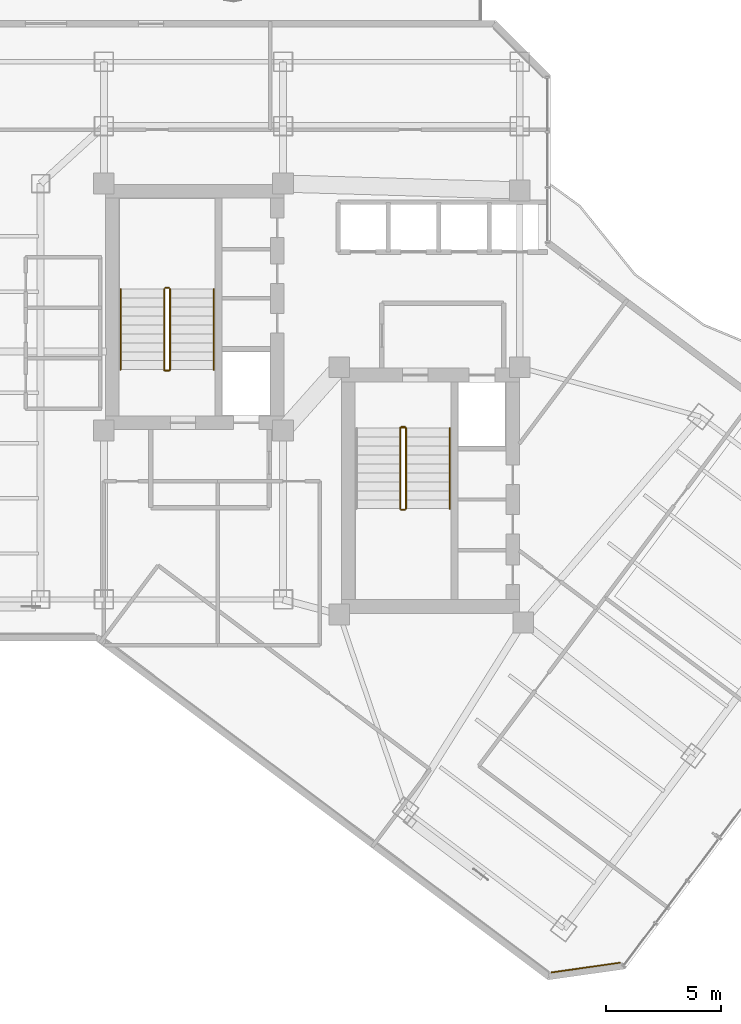
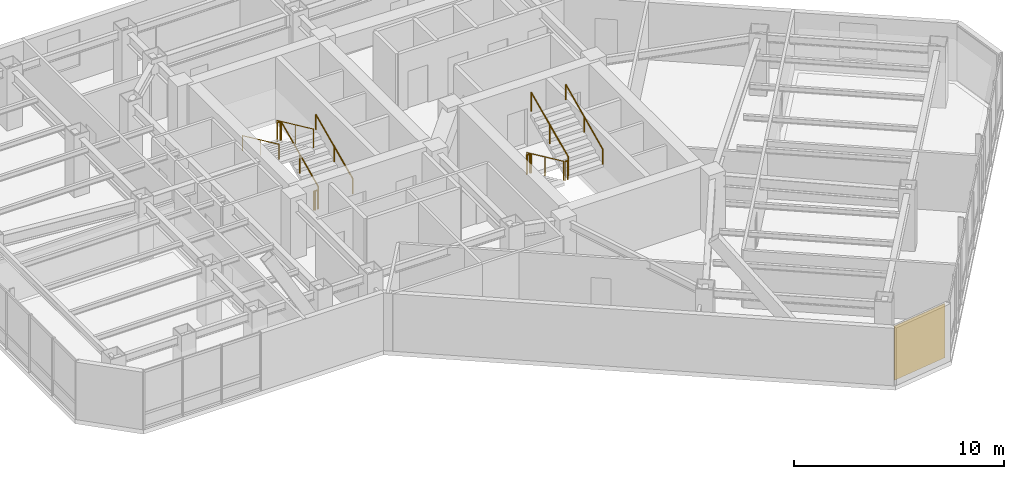
# One storey, part 26 of 28: 13 railings, 1 covering.
"""IFC4 building model written with IfcOpenShell, lengths in metres."""

import ifcopenshell
import ifcopenshell.guid

model = None  # the IFC model being written
_history = None  # IfcOwnerHistory: only IFC2X3 demands one
_inside = {}  # id of a spatial element -> (the spatial element, [elements in it])
_under = {}  # id of a project, library or spatial element -> (it, [spatial elements below it])
_declared = {}  # id of a project -> (the project, [libraries it declares])
_typed = {}  # id of a type object -> (the type object, [elements of that type])
_made_of = {}  # id of a material, layer set ... -> (it, [elements and type objects made of it])


def new_model(schema):
    """Start an empty IFC model of exactly this schema.

    Asked for "IFC4X3", IfcOpenShell would pick the latest addendum, in which some entities
    have other attributes; the version numbers below select the first issue.
    IFC2X3 requires an IfcOwnerHistory on every rooted entity: one is made here for all.
    """
    global model, _history
    if schema == "IFC4X3":
        model = ifcopenshell.file(schema_version=(4, 3, 0, 0))
    else:
        model = ifcopenshell.file(schema=schema)
    _inside.clear()
    _under.clear()
    _declared.clear()
    _typed.clear()
    _made_of.clear()
    _history = None
    if model.schema == "IFC2X3":
        org = make("IfcOrganization", Name="unknown")
        user = make(
            "IfcPersonAndOrganization",
            ThePerson=make("IfcPerson", FamilyName="unknown"),
            TheOrganization=org,
        )
        app = make(
            "IfcApplication",
            ApplicationDeveloper=org,
            Version="unknown",
            ApplicationFullName="unknown",
            ApplicationIdentifier="unknown",
        )
        _history = make(
            "IfcOwnerHistory",
            OwningUser=user,
            OwningApplication=app,
            ChangeAction="ADDED",
            CreationDate=0,
        )
    return model


def make(cls, **values):
    """One entity of the class cls with the attributes given. An attribute that is None is left unset."""
    return model.create_entity(
        cls, **{name: value for name, value in values.items() if value is not None}
    )


def rooted(cls, **values):
    """An entity with a GlobalId (a new one), such as an element, a storey or a relation."""
    return make(cls, GlobalId=ifcopenshell.guid.new(), OwnerHistory=_history, **values)


def si_unit(unit_type, name, prefix=None):
    """IfcSIUnit, for example si_unit("LENGTHUNIT", "METRE", prefix="MILLI")."""
    return make("IfcSIUnit", UnitType=unit_type, Prefix=prefix, Name=name)


def assignment(units):
    """IfcUnitAssignment: the units of a project."""
    return None if units is None else make("IfcUnitAssignment", Units=units)


def point(xyz):
    """IfcCartesianPoint."""
    return None if xyz is None else make("IfcCartesianPoint", Coordinates=xyz)


def direction(xyz):
    """IfcDirection."""
    return None if xyz is None else make("IfcDirection", DirectionRatios=xyz)


def frame(location, z_axis=None, x_axis=None):
    """IfcAxis2Placement3D, a coordinate frame: its origin and axes. An axis left out is left unset."""
    return make(
        "IfcAxis2Placement3D",
        Location=point(location),
        Axis=direction(z_axis),
        RefDirection=direction(x_axis),
    )


def frame_2d(location, x_axis=None):
    """IfcAxis2Placement2D, a coordinate frame in the plane: its origin and x axis."""
    return make(
        "IfcAxis2Placement2D", Location=point(location), RefDirection=direction(x_axis)
    )


def origin():
    """The frame at (0, 0, 0) with its axes left unset."""
    return frame((0.0, 0.0, 0.0))


def origin_2d():
    """The frame at (0, 0) in the plane with its x axis left unset."""
    return frame_2d((0.0, 0.0))


def place(relative_to, where):
    """IfcLocalPlacement: puts the frame where relative to a parent placement (None: the world)."""
    return make(
        "IfcLocalPlacement", PlacementRelTo=relative_to, RelativePlacement=where
    )


def context(
    kind, dimensions, precision=None, world=None, true_north=None, identifier=None
):
    """IfcGeometricRepresentationContext, for example the 3D "Model" context."""
    return make(
        "IfcGeometricRepresentationContext",
        ContextIdentifier=identifier,
        ContextType=kind,
        CoordinateSpaceDimension=dimensions,
        Precision=precision,
        WorldCoordinateSystem=world,
        TrueNorth=true_north,
    )


def subcontext(parent, identifier, kind, view, scale=None):
    """IfcGeometricRepresentationSubContext, for example "Body" below "Model"."""
    return make(
        "IfcGeometricRepresentationSubContext",
        ContextIdentifier=identifier,
        ContextType=kind,
        ParentContext=parent,
        TargetScale=scale,
        TargetView=view,
    )


def project(units=None, contexts=None):
    """IfcProject with its units and contexts."""
    return rooted(
        "IfcProject",
        Name="project",
        RepresentationContexts=contexts,
        UnitsInContext=assignment(units),
    )


def spatial(cls, under=None, at=None, **own):
    """A site, building, storey or space (cls), placed at a placement, below another one or the project."""
    s = rooted(cls, ObjectPlacement=at, **own)
    if under is not None:
        _under.setdefault(under.id(), (under, []))[1].append(s)
    return s


def profile(cls, at=None, kind="AREA", **sizes):
    """A parametric profile (cls). Its sizes go by their IFC names, for example OverallWidth=200.0."""
    return make(cls, ProfileType=kind, Position=at, **sizes)


def rectangle(**sizes):
    """IfcRectangleProfileDef."""
    return profile("IfcRectangleProfileDef", **sizes)


def circle(**sizes):
    """IfcCircleProfileDef."""
    return profile("IfcCircleProfileDef", **sizes)


def extrude(swept, where, along, depth):
    """IfcExtrudedAreaSolid: the profile swept, set in the frame where, extruded along a direction by depth."""
    return make(
        "IfcExtrudedAreaSolid",
        SweptArea=swept,
        Position=where,
        ExtrudedDirection=direction(along),
        Depth=depth,
    )


def shape(context_of_items, identifier, shape_type, items):
    """IfcShapeRepresentation: the items that make up one representation, for example the "Body"."""
    return make(
        "IfcShapeRepresentation",
        ContextOfItems=context_of_items,
        RepresentationIdentifier=identifier,
        RepresentationType=shape_type,
        Items=items,
    )


def material(Name=None, Category=None):
    """IfcMaterial."""
    return make("IfcMaterial", Name=Name, Category=Category)


def layer(
    of_material, thickness, ventilated=None, Name=None, Category=None, Priority=None
):
    """IfcMaterialLayer: one layer of a wall or slab, of a material (None: an air gap)."""
    return make(
        "IfcMaterialLayer",
        Material=of_material,
        LayerThickness=thickness,
        IsVentilated=ventilated,
        Name=Name,
        Category=Category,
        Priority=Priority,
    )


def layer_set(layers, Name=None):
    """IfcMaterialLayerSet."""
    return make("IfcMaterialLayerSet", MaterialLayers=layers, LayerSetName=Name)


def made_of(thing, what):
    """Note that an element or type object is made of a material, layer set ...; save() writes the relation."""
    if what is not None:
        _made_of.setdefault(what.id(), (what, []))[1].append(thing)
    return thing


def type_object(cls, material=None, **own):
    """A type object (cls), such as IfcWallType, which elements share."""
    return made_of(rooted(cls, **own), material)


def element(
    cls,
    number,
    at=None,
    inside=None,
    cuts=None,
    type_object=None,
    material=None,
    context=None,
    identifier="Body",
    shape_type=None,
    held_by="IfcProductDefinitionShape",
    body=None,
    shapes=None,
    **own,
):
    """One element of the class cls, such as IfcWall. Its Tag is "e" and its number.

    at: its placement. inside: the storey or other place that contains it. cuts: it is an
    opening in that element (IfcRelVoidsElement). A single representation is given by context,
    identifier, shape_type and body (its items); several are given by shapes. held_by: the class
    of the entity that holds the representations. save() writes the other relations.
    """
    e = rooted(cls, Tag="e%d" % number, ObjectPlacement=at, **own)
    if body is not None:
        shapes = [shape(context, identifier, shape_type, body)]
    if shapes is not None:
        e.Representation = make(held_by, Representations=shapes)
    if inside is not None:
        _inside.setdefault(inside.id(), (inside, []))[1].append(e)
    if cuts is not None:
        rooted(
            "IfcRelVoidsElement", RelatingBuildingElement=cuts, RelatedOpeningElement=e
        )
    if type_object is not None:
        _typed.setdefault(type_object.id(), (type_object, []))[1].append(e)
    return made_of(e, material)


def aggregate(whole, parts):
    """IfcRelAggregates: a whole, such as a stair, and the parts it consists of."""
    return rooted("IfcRelAggregates", RelatingObject=whole, RelatedObjects=parts)


def save(model, path):
    """Write the relations noted so far, then the file.

    IfcRelAggregates (storeys below a building ...), IfcRelContainedInSpatialStructure (elements
    in a storey), IfcRelDefinesByType, IfcRelAssociatesMaterial and IfcRelDeclares: one each for
    every whole, place, type object, material and project.
    """
    for whole, parts in _under.values():
        aggregate(whole, parts)
    for where, things in _inside.values():
        rooted(
            "IfcRelContainedInSpatialStructure",
            RelatedElements=things,
            RelatingStructure=where,
        )
    for kind, things in _typed.values():
        rooted("IfcRelDefinesByType", RelatedObjects=things, RelatingType=kind)
    for what, things in _made_of.values():
        rooted("IfcRelAssociatesMaterial", RelatedObjects=things, RelatingMaterial=what)
    for by, libraries in _declared.values():
        rooted("IfcRelDeclares", RelatingContext=by, RelatedDefinitions=libraries)
    model.write(path)


model = new_model("IFC4")

# Units and contexts
model_context = context("Model", 3, precision=1e-05, world=origin(), true_north=direction((0.0, 1.0)))
body_context = subcontext(model_context, "Body", "Model", "MODEL_VIEW")
ifc_project = project(units=[si_unit("LENGTHUNIT", "METRE"), si_unit("AREAUNIT", "SQUARE_METRE"), si_unit("VOLUMEUNIT", "CUBIC_METRE"), si_unit("PLANEANGLEUNIT", "RADIAN"), si_unit("MASSUNIT", "GRAM", prefix="KILO")], contexts=[model_context])

# Site, building, storey
site_placement = place(None, origin())
site = spatial("IfcSite", under=ifc_project, at=site_placement, CompositionType="ELEMENT")
building_placement = place(site_placement, origin())
building = spatial("IfcBuilding", under=site, at=building_placement, Name="Hatsunagi Terrace Concourse", CompositionType="ELEMENT")
storey_placement = place(building_placement, frame((0.0, 0.0, 138.449951171875)))
storey = spatial("IfcBuildingStorey", under=building, at=storey_placement, Name="L36", CompositionType="ELEMENT", Elevation=138.449951171875)

# Railings
ifc_material_1 = material(Name="Stainless steel", Category="steel")
ifc_layer_1 = layer(ifc_material_1, 0.044921875)
ifc_layer_set_1 = layer_set([ifc_layer_1], Name="StairPitchHandrail_Tower2000")
railing_type_1 = type_object("IfcRailingType", Name="StairPitchHandrail_Tower2000", PredefinedType="HANDRAIL", material=ifc_layer_set_1)
railing_1_placement = place(storey_placement, frame((30.330078125, 35.199951171875, 0.179931640625)))
element("IfcRailing", 1, at=railing_1_placement, inside=storey, type_object=railing_type_1, Name="L36 ST-A stair handrail 1", PredefinedType="HANDRAIL", context=body_context, shape_type="SweptSolid", body=[
    extrude(circle(Radius=0.02392578125, at=origin_2d()), frame((0.0, 0.0, 0.8759765625), z_axis=(0.0, 0.907948293929, 0.419082206198), x_axis=(-1.0, 0.0, 0.0)), (0.0, 0.0, 1.0), 3.865966796875),
    extrude(circle(Radius=0.02099609375, at=origin_2d()), origin(), (0.0, 0.0, 1.0), 0.851806640625),
    extrude(circle(Radius=0.02099609375, at=origin_2d()), frame((0.0, 1.7548828125, 0.81005859375)), (0.0, 0.0, 1.0), 0.851806640625),
    extrude(circle(Radius=0.02099609375, at=origin_2d()), frame((0.0, 3.510009765625, 1.6201171875)), (0.0, 0.0, 1.0), 0.851806640625),
])
railing_2_placement = place(storey_placement, frame((26.280029296875, 38.7099609375, 1.97998046875)))
element("IfcRailing", 2, at=railing_2_placement, inside=storey, type_object=railing_type_1, Name="L36 ST-A stair handrail 2", PredefinedType="HANDRAIL", context=body_context, shape_type="SweptSolid", body=[
    extrude(circle(Radius=0.02392578125, at=origin_2d()), frame((0.0, 0.0, 0.8759765625), z_axis=(0.0, -0.907948293929, 0.419082206198), x_axis=(1.0, 0.0, 0.0)), (0.0, 0.0, 1.0), 3.865966796875),
    extrude(circle(Radius=0.02099609375, at=origin_2d()), origin(), (0.0, 0.0, 1.0), 0.851806640625),
    extrude(circle(Radius=0.02099609375, at=origin_2d()), frame((0.0, -1.7548828125, 0.81005859375)), (0.0, 0.0, 1.0), 0.851806640625),
    extrude(circle(Radius=0.02099609375, at=origin_2d()), frame((0.0, -3.510009765625, 1.6201171875)), (0.0, 0.0, 1.0), 0.851806640625),
])
railing_3_placement = place(storey_placement, frame((40.60009765625, 29.14990234375, 1.97998046875)))
element("IfcRailing", 3, at=railing_3_placement, inside=storey, type_object=railing_type_1, Name="L36 ST-B stair handrail 2", PredefinedType="HANDRAIL", context=body_context, shape_type="SweptSolid", body=[
    extrude(circle(Radius=0.02392578125, at=origin_2d()), frame((0.0, 0.0, 0.8759765625), z_axis=(0.0, 0.907948293929, 0.419082206198), x_axis=(-1.0, 0.0, 0.0)), (0.0, 0.0, 1.0), 3.865966796875),
    extrude(circle(Radius=0.02099609375, at=origin_2d()), origin(), (0.0, 0.0, 1.0), 0.851806640625),
    extrude(circle(Radius=0.02099609375, at=origin_2d()), frame((0.0, 1.7548828125, 0.81005859375)), (0.0, 0.0, 1.0), 0.851806640625),
    extrude(circle(Radius=0.02099609375, at=origin_2d()), frame((0.0, 3.510009765625, 1.6201171875)), (0.0, 0.0, 1.0), 0.851806640625),
])
ifc_material_2 = material(Name="Stainless steel", Category="steel")
ifc_layer_2 = layer(ifc_material_2, 0.06005859375)
ifc_layer_set_2 = layer_set([ifc_layer_2], Name="StairWellGuard_Tower2000")
railing_type_2 = type_object("IfcRailingType", Name="StairWellGuard_Tower2000", PredefinedType="BALUSTRADE", material=ifc_layer_set_2)
railing_4_placement = place(storey_placement, frame((28.429931640625, 35.199951171875, 0.179931640625)))
element("IfcRailing", 4, at=railing_4_placement, inside=storey, type_object=railing_type_2, Name="L36 ST-A stair guard 1", PredefinedType="BALUSTRADE", context=body_context, shape_type="SweptSolid", body=[
    extrude(circle(Radius=0.02392578125, at=origin_2d()), frame((0.0, 0.0, 1.09619140625), z_axis=(0.0, 0.907948293929, 0.419082206198), x_axis=(-1.0, 0.0, 0.0)), (0.0, 0.0, 1.0), 3.865966796875),
    extrude(circle(Radius=0.02099609375, at=origin_2d()), origin(), (0.0, 0.0, 1.0), 1.072021484375),
    extrude(circle(Radius=0.02099609375, at=origin_2d()), frame((0.0, 1.7548828125, 0.81005859375)), (0.0, 0.0, 1.0), 1.072021484375),
    extrude(circle(Radius=0.02099609375, at=origin_2d()), frame((0.0, 3.510009765625, 1.6201171875)), (0.0, 0.0, 1.0), 1.072021484375),
])
railing_5_placement = place(storey_placement, frame((28.3798828125, 38.760009765625, 1.800048828125)))
element("IfcRailing", 5, at=railing_5_placement, inside=storey, type_object=railing_type_2, Name="L36 ST-A stair guard 2", PredefinedType="BALUSTRADE", context=body_context, shape_type="SweptSolid", body=[
    extrude(circle(Radius=0.02392578125, at=origin_2d()), frame((0.0, 0.0, 1.09619140625), z_axis=(-1.0, 0.0, 0.0), x_axis=(0.0, -1.0, 0.0)), (0.0, 0.0, 1.0), 0.14990234375),
    extrude(circle(Radius=0.02099609375, at=origin_2d()), origin(), (0.0, 0.0, 1.0), 1.072021484375),
    extrude(circle(Radius=0.02099609375, at=origin_2d()), frame((-0.14990234375, 0.0, 0.0)), (0.0, 0.0, 1.0), 1.072021484375),
])
railing_6_placement = place(storey_placement, frame((28.179931640625, 38.7099609375, 1.97998046875)))
element("IfcRailing", 6, at=railing_6_placement, inside=storey, type_object=railing_type_2, Name="L36 ST-A stair guard 3", PredefinedType="BALUSTRADE", context=body_context, shape_type="SweptSolid", body=[
    extrude(circle(Radius=0.02392578125, at=origin_2d()), frame((0.0, 0.0, 1.09619140625), z_axis=(0.0, -0.907948293929, 0.419082206198), x_axis=(1.0, 0.0, 0.0)), (0.0, 0.0, 1.0), 3.865966796875),
    extrude(circle(Radius=0.02099609375, at=origin_2d()), origin(), (0.0, 0.0, 1.0), 1.072021484375),
    extrude(circle(Radius=0.02099609375, at=origin_2d()), frame((0.0, -1.7548828125, 0.81005859375)), (0.0, 0.0, 1.0), 1.072021484375),
    extrude(circle(Radius=0.02099609375, at=origin_2d()), frame((0.0, -3.510009765625, 1.6201171875)), (0.0, 0.0, 1.0), 1.072021484375),
])
railing_7_placement = place(storey_placement, frame((28.3798828125, 35.14990234375, 0.0)))
element("IfcRailing", 7, at=railing_7_placement, inside=storey, type_object=railing_type_2, Name="L36 ST-A stair guard 4", PredefinedType="BALUSTRADE", context=body_context, shape_type="SweptSolid", body=[
    extrude(circle(Radius=0.02392578125, at=origin_2d()), frame((0.0, 0.0, 1.09619140625), z_axis=(-1.0, 0.0, 0.0), x_axis=(0.0, -1.0, 0.0)), (0.0, 0.0, 1.0), 0.14990234375),
    extrude(circle(Radius=0.02099609375, at=origin_2d()), origin(), (0.0, 0.0, 1.0), 1.072021484375),
    extrude(circle(Radius=0.02099609375, at=origin_2d()), frame((-0.14990234375, 0.0, 0.0)), (0.0, 0.0, 1.0), 1.072021484375),
])
railing_8_placement = place(storey_placement, frame((38.449951171875, 32.659912109375, 0.179931640625)))
element("IfcRailing", 8, at=railing_8_placement, inside=storey, type_object=railing_type_2, Name="L36 ST-B stair guard 1", PredefinedType="BALUSTRADE", context=body_context, shape_type="SweptSolid", body=[
    extrude(circle(Radius=0.02392578125, at=origin_2d()), frame((0.0, 0.0, 1.09619140625), z_axis=(0.0, -0.907948293929, 0.419082206198), x_axis=(1.0, 0.0, 0.0)), (0.0, 0.0, 1.0), 3.865966796875),
    extrude(circle(Radius=0.02099609375, at=origin_2d()), origin(), (0.0, 0.0, 1.0), 1.072021484375),
    extrude(circle(Radius=0.02099609375, at=origin_2d()), frame((0.0, -1.7548828125, 0.81005859375)), (0.0, 0.0, 1.0), 1.072021484375),
    extrude(circle(Radius=0.02099609375, at=origin_2d()), frame((0.0, -3.510009765625, 1.6201171875)), (0.0, 0.0, 1.0), 1.072021484375),
])
railing_9_placement = place(storey_placement, frame((38.5, 29.10009765625, 1.800048828125)))
element("IfcRailing", 9, at=railing_9_placement, inside=storey, type_object=railing_type_2, Name="L36 ST-B stair guard 2", PredefinedType="BALUSTRADE", context=body_context, shape_type="SweptSolid", body=[
    extrude(circle(Radius=0.02392578125, at=origin_2d()), frame((0.0, 0.0, 1.09619140625), z_axis=(1.0, 0.0, 0.0), x_axis=(0.0, 1.0, 0.0)), (0.0, 0.0, 1.0), 0.14990234375),
    extrude(circle(Radius=0.02099609375, at=origin_2d()), origin(), (0.0, 0.0, 1.0), 1.072021484375),
    extrude(circle(Radius=0.02099609375, at=origin_2d()), frame((0.14990234375, 0.0, 0.0)), (0.0, 0.0, 1.0), 1.072021484375),
])
railing_10_placement = place(storey_placement, frame((38.699951171875, 29.14990234375, 1.97998046875)))
element("IfcRailing", 10, at=railing_10_placement, inside=storey, type_object=railing_type_2, Name="L36 ST-B stair guard 3", PredefinedType="BALUSTRADE", context=body_context, shape_type="SweptSolid", body=[
    extrude(circle(Radius=0.02392578125, at=origin_2d()), frame((0.0, 0.0, 1.09619140625), z_axis=(0.0, 0.907948293929, 0.419082206198), x_axis=(-1.0, 0.0, 0.0)), (0.0, 0.0, 1.0), 3.865966796875),
    extrude(circle(Radius=0.02099609375, at=origin_2d()), origin(), (0.0, 0.0, 1.0), 1.072021484375),
    extrude(circle(Radius=0.02099609375, at=origin_2d()), frame((0.0, 1.7548828125, 0.81005859375)), (0.0, 0.0, 1.0), 1.072021484375),
    extrude(circle(Radius=0.02099609375, at=origin_2d()), frame((0.0, 3.510009765625, 1.6201171875)), (0.0, 0.0, 1.0), 1.072021484375),
])
railing_11_placement = place(storey_placement, frame((38.5, 32.7099609375, 0.0)))
element("IfcRailing", 11, at=railing_11_placement, inside=storey, type_object=railing_type_2, Name="L36 ST-B stair guard 4", PredefinedType="BALUSTRADE", context=body_context, shape_type="SweptSolid", body=[
    extrude(circle(Radius=0.02392578125, at=origin_2d()), frame((0.0, 0.0, 1.09619140625), z_axis=(1.0, 0.0, 0.0), x_axis=(0.0, 1.0, 0.0)), (0.0, 0.0, 1.0), 0.14990234375),
    extrude(circle(Radius=0.02099609375, at=origin_2d()), origin(), (0.0, 0.0, 1.0), 1.072021484375),
    extrude(circle(Radius=0.02099609375, at=origin_2d()), frame((0.14990234375, 0.0, 0.0)), (0.0, 0.0, 1.0), 1.072021484375),
])
ifc_material_3 = material(Name="Stainless Steel SUS316 Post-and-Rail Guard", Category="steel")
ifc_layer_3 = layer(ifc_material_3, 0.080078125)
ifc_layer_set_3 = layer_set([ifc_layer_3], Name="TerracePlantedGuardRail_1200")
railing_type_3 = type_object("IfcRailingType", Name="TerracePlantedGuardRail_1200", PredefinedType="GUARDRAIL", material=ifc_layer_set_3)
for number, where, name in (
    (12, (28.179931640625, 35.179931640625, 0.0), "Stair ST-A Well Closure Guard L36"),
    (13, (38.449951171875, 32.679931640625, 0.0), "Stair ST-B Well Closure Guard L36"),
):
    element("IfcRailing", number, at=place(storey_placement, frame(where)), inside=storey, type_object=railing_type_3, Name=name, PredefinedType="GUARDRAIL", context=body_context, shape_type="SweptSolid", body=[
        extrude(circle(Radius=0.02392578125, at=origin_2d()), frame((0.0, 0.0, 1.09619140625), z_axis=(1.0, 0.0, 0.0), x_axis=(0.0, 1.0, 0.0)), (0.0, 0.0, 1.0), 0.25),
        extrude(circle(Radius=0.02099609375, at=origin_2d()), origin(), (0.0, 0.0, 1.0), 1.072021484375),
        extrude(circle(Radius=0.02099609375, at=origin_2d()), frame((0.25, 0.0, 0.0)), (0.0, 0.0, 1.0), 1.072021484375),
    ])

# Covering
ifc_material_4 = material(Name="Unglazed Warm Terracotta Rainscreen Tile", Category="masonry")
ifc_layer_4 = layer(ifc_material_4, 0.044921875)
ifc_layer_set_4 = layer_set([ifc_layer_4], Name="TerracottaRainscreenCladding_45")
covering_type = type_object("IfcCoveringType", Name="TerracottaRainscreenCladding_45", PredefinedType="CLADDING", material=ifc_layer_set_4)
covering_placement = place(storey_placement, frame((46.51806640625, 9.178955078125, 0.10009765625), z_axis=(0.0, 0.0, 1.0), x_axis=(-0.989973920543, -0.141250262458, 0.0)))
element("IfcCovering", 14, at=covering_placement, inside=storey, type_object=covering_type, Name="Terracotta Rainscreen Cladding L36-04", PredefinedType="CLADDING", context=body_context, shape_type="SweptSolid", body=[
    extrude(rectangle(XDim=3.0380859375, YDim=0.044921875, at=origin_2d()), origin(), (0.0, 0.0, 1.0), 3.14990234375),
])

save(model, "model.ifc")
